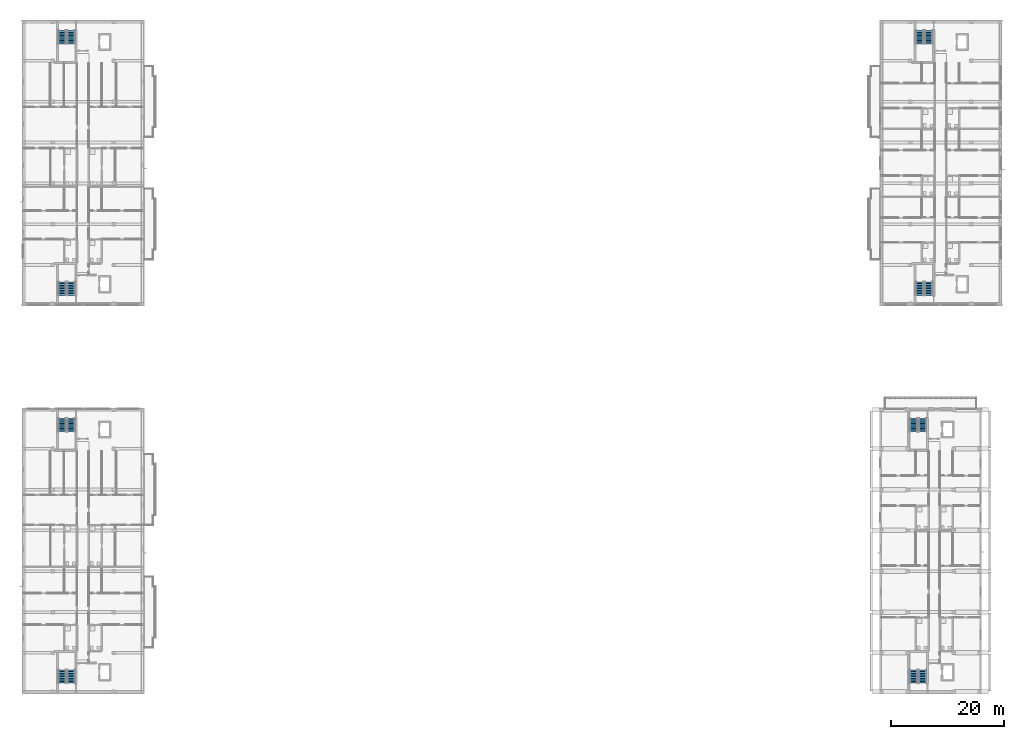
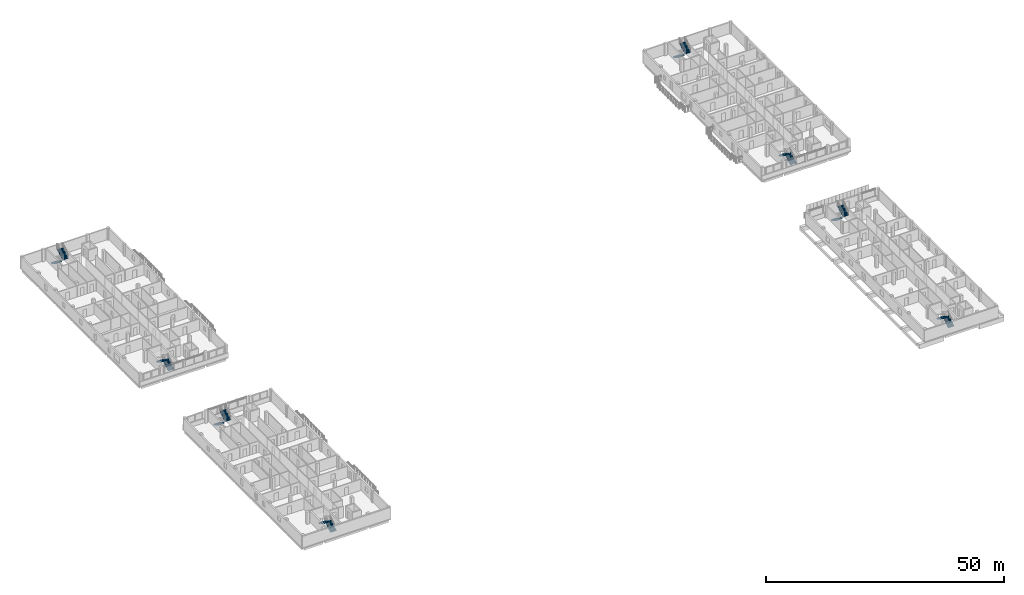
# One storey, part 27 of 41: 16 stair flights, 8 elements without a shape of their own.
"""IFC4 building model written with IfcOpenShell, lengths in metres."""

import ifcopenshell
import ifcopenshell.guid

model = None  # the IFC model being written
_history = None  # IfcOwnerHistory: only IFC2X3 demands one
_inside = {}  # id of a spatial element -> (the spatial element, [elements in it])
_under = {}  # id of a project, library or spatial element -> (it, [spatial elements below it])
_declared = {}  # id of a project -> (the project, [libraries it declares])
_typed = {}  # id of a type object -> (the type object, [elements of that type])
_made_of = {}  # id of a material, layer set ... -> (it, [elements and type objects made of it])


def new_model(schema):
    """Start an empty IFC model of exactly this schema.

    Asked for "IFC4X3", IfcOpenShell would pick the latest addendum, in which some entities
    have other attributes; the version numbers below select the first issue.
    IFC2X3 requires an IfcOwnerHistory on every rooted entity: one is made here for all.
    """
    global model, _history
    if schema == "IFC4X3":
        model = ifcopenshell.file(schema_version=(4, 3, 0, 0))
    else:
        model = ifcopenshell.file(schema=schema)
    _inside.clear()
    _under.clear()
    _declared.clear()
    _typed.clear()
    _made_of.clear()
    _history = None
    if model.schema == "IFC2X3":
        org = make("IfcOrganization", Name="unknown")
        user = make(
            "IfcPersonAndOrganization",
            ThePerson=make("IfcPerson", FamilyName="unknown"),
            TheOrganization=org,
        )
        app = make(
            "IfcApplication",
            ApplicationDeveloper=org,
            Version="unknown",
            ApplicationFullName="unknown",
            ApplicationIdentifier="unknown",
        )
        _history = make(
            "IfcOwnerHistory",
            OwningUser=user,
            OwningApplication=app,
            ChangeAction="ADDED",
            CreationDate=0,
        )
    return model


def make(cls, **values):
    """One entity of the class cls with the attributes given. An attribute that is None is left unset."""
    return model.create_entity(
        cls, **{name: value for name, value in values.items() if value is not None}
    )


def rooted(cls, **values):
    """An entity with a GlobalId (a new one), such as an element, a storey or a relation."""
    return make(cls, GlobalId=ifcopenshell.guid.new(), OwnerHistory=_history, **values)


def si_unit(unit_type, name, prefix=None):
    """IfcSIUnit, for example si_unit("LENGTHUNIT", "METRE", prefix="MILLI")."""
    return make("IfcSIUnit", UnitType=unit_type, Prefix=prefix, Name=name)


def derived_unit(unit_type, elements):
    """IfcDerivedUnit: a product of units, each with its exponent."""
    return make(
        "IfcDerivedUnit",
        Elements=[
            make("IfcDerivedUnitElement", Unit=unit, Exponent=power)
            for unit, power in elements
        ],
        UnitType=unit_type,
    )


def assignment(units):
    """IfcUnitAssignment: the units of a project."""
    return None if units is None else make("IfcUnitAssignment", Units=units)


def point(xyz):
    """IfcCartesianPoint."""
    return None if xyz is None else make("IfcCartesianPoint", Coordinates=xyz)


def direction(xyz):
    """IfcDirection."""
    return None if xyz is None else make("IfcDirection", DirectionRatios=xyz)


def frame(location, z_axis=None, x_axis=None):
    """IfcAxis2Placement3D, a coordinate frame: its origin and axes. An axis left out is left unset."""
    return make(
        "IfcAxis2Placement3D",
        Location=point(location),
        Axis=direction(z_axis),
        RefDirection=direction(x_axis),
    )


def origin():
    """The frame at (0, 0, 0) with its axes left unset."""
    return frame((0.0, 0.0, 0.0))


def place(relative_to, where):
    """IfcLocalPlacement: puts the frame where relative to a parent placement (None: the world)."""
    return make(
        "IfcLocalPlacement", PlacementRelTo=relative_to, RelativePlacement=where
    )


def context(
    kind, dimensions, precision=None, world=None, true_north=None, identifier=None
):
    """IfcGeometricRepresentationContext, for example the 3D "Model" context."""
    return make(
        "IfcGeometricRepresentationContext",
        ContextIdentifier=identifier,
        ContextType=kind,
        CoordinateSpaceDimension=dimensions,
        Precision=precision,
        WorldCoordinateSystem=world,
        TrueNorth=true_north,
    )


def subcontext(parent, identifier, kind, view, scale=None):
    """IfcGeometricRepresentationSubContext, for example "Body" below "Model"."""
    return make(
        "IfcGeometricRepresentationSubContext",
        ContextIdentifier=identifier,
        ContextType=kind,
        ParentContext=parent,
        TargetScale=scale,
        TargetView=view,
    )


def project(units=None, contexts=None):
    """IfcProject with its units and contexts."""
    return rooted(
        "IfcProject",
        Name="project",
        RepresentationContexts=contexts,
        UnitsInContext=assignment(units),
    )


def spatial(cls, under=None, at=None, **own):
    """A site, building, storey or space (cls), placed at a placement, below another one or the project."""
    s = rooted(cls, ObjectPlacement=at, **own)
    if under is not None:
        _under.setdefault(under.id(), (under, []))[1].append(s)
    return s


def polyline(points):
    """IfcPolyline through the points."""
    return make("IfcPolyline", Points=[point(p) for p in points])


def outline(outer, holes=None, kind="AREA"):
    """IfcArbitraryClosedProfileDef: a profile drawn as a closed curve; with holes, ...WithVoids."""
    if holes is None:
        return make("IfcArbitraryClosedProfileDef", ProfileType=kind, OuterCurve=outer)
    return make(
        "IfcArbitraryProfileDefWithVoids",
        ProfileType=kind,
        OuterCurve=outer,
        InnerCurves=holes,
    )


def extrude(swept, where, along, depth):
    """IfcExtrudedAreaSolid: the profile swept, set in the frame where, extruded along a direction by depth."""
    return make(
        "IfcExtrudedAreaSolid",
        SweptArea=swept,
        Position=where,
        ExtrudedDirection=direction(along),
        Depth=depth,
    )


def shape(context_of_items, identifier, shape_type, items):
    """IfcShapeRepresentation: the items that make up one representation, for example the "Body"."""
    return make(
        "IfcShapeRepresentation",
        ContextOfItems=context_of_items,
        RepresentationIdentifier=identifier,
        RepresentationType=shape_type,
        Items=items,
    )


def material(Name=None, Category=None):
    """IfcMaterial."""
    return make("IfcMaterial", Name=Name, Category=Category)


def made_of(thing, what):
    """Note that an element or type object is made of a material, layer set ...; save() writes the relation."""
    if what is not None:
        _made_of.setdefault(what.id(), (what, []))[1].append(thing)
    return thing


def type_object(cls, material=None, **own):
    """A type object (cls), such as IfcWallType, which elements share."""
    return made_of(rooted(cls, **own), material)


def element(
    cls,
    number,
    at=None,
    inside=None,
    cuts=None,
    type_object=None,
    material=None,
    context=None,
    identifier="Body",
    shape_type=None,
    held_by="IfcProductDefinitionShape",
    body=None,
    shapes=None,
    **own,
):
    """One element of the class cls, such as IfcWall. Its Tag is "e" and its number.

    at: its placement. inside: the storey or other place that contains it. cuts: it is an
    opening in that element (IfcRelVoidsElement). A single representation is given by context,
    identifier, shape_type and body (its items); several are given by shapes. held_by: the class
    of the entity that holds the representations. save() writes the other relations.
    """
    e = rooted(cls, Tag="e%d" % number, ObjectPlacement=at, **own)
    if body is not None:
        shapes = [shape(context, identifier, shape_type, body)]
    if shapes is not None:
        e.Representation = make(held_by, Representations=shapes)
    if inside is not None:
        _inside.setdefault(inside.id(), (inside, []))[1].append(e)
    if cuts is not None:
        rooted(
            "IfcRelVoidsElement", RelatingBuildingElement=cuts, RelatedOpeningElement=e
        )
    if type_object is not None:
        _typed.setdefault(type_object.id(), (type_object, []))[1].append(e)
    return made_of(e, material)


def aggregate(whole, parts):
    """IfcRelAggregates: a whole, such as a stair, and the parts it consists of."""
    return rooted("IfcRelAggregates", RelatingObject=whole, RelatedObjects=parts)


def save(model, path):
    """Write the relations noted so far, then the file.

    IfcRelAggregates (storeys below a building ...), IfcRelContainedInSpatialStructure (elements
    in a storey), IfcRelDefinesByType, IfcRelAssociatesMaterial and IfcRelDeclares: one each for
    every whole, place, type object, material and project.
    """
    for whole, parts in _under.values():
        aggregate(whole, parts)
    for where, things in _inside.values():
        rooted(
            "IfcRelContainedInSpatialStructure",
            RelatedElements=things,
            RelatingStructure=where,
        )
    for kind, things in _typed.values():
        rooted("IfcRelDefinesByType", RelatedObjects=things, RelatingType=kind)
    for what, things in _made_of.values():
        rooted("IfcRelAssociatesMaterial", RelatedObjects=things, RelatingMaterial=what)
    for by, libraries in _declared.values():
        rooted("IfcRelDeclares", RelatingContext=by, RelatedDefinitions=libraries)
    model.write(path)


model = new_model("IFC4")

# Units and contexts
model_context = context("Model", 3, precision=1e-05, world=origin(), true_north=direction((0.0, 1.0)))
body_context = subcontext(model_context, "Body", "Model", "MODEL_VIEW")
ifc_project = project(units=[si_unit("LENGTHUNIT", "METRE"), si_unit("AREAUNIT", "SQUARE_METRE"), si_unit("VOLUMEUNIT", "CUBIC_METRE"), si_unit("PLANEANGLEUNIT", "RADIAN"), si_unit("MASSUNIT", "GRAM", prefix="KILO"), derived_unit("THERMALTRANSMITTANCEUNIT", [(si_unit("MASSUNIT", "GRAM", prefix="KILO"), 1), (si_unit("TIMEUNIT", "SECOND"), -3), (si_unit("THERMODYNAMICTEMPERATUREUNIT", "KELVIN"), -1)])], contexts=[model_context])

# Site, building, storey
site_placement = place(None, origin())
site = spatial("IfcSite", under=ifc_project, at=site_placement, CompositionType="ELEMENT")
building_placement = place(site_placement, origin())
building = spatial("IfcBuilding", under=site, at=building_placement, Name="Ochrekiln Boulevard Commons", CompositionType="ELEMENT")
storey_placement = place(building_placement, frame((0.0, 0.0, 21.52490234375)))
storey = spatial("IfcBuildingStorey", under=building, at=storey_placement, Name="L06", CompositionType="ELEMENT", Elevation=21.52490234375)

# Stair, stair flights
ifc_material = material(Name="Concrete C35/45", Category="concrete")
stair_type = type_object("IfcStairType", Name="STR-DL-315", PredefinedType="TWO_STRAIGHT_RUN_STAIR", material=ifc_material)
stair_1_placement = place(storey_placement, origin())
stair_1 = element("IfcStair", 1, at=stair_1_placement, inside=storey, type_object=stair_type, Name="L06 Enclosed Exit Stair ST-A1", PredefinedType="TWO_STRAIGHT_RUN_STAIR")
stair_flight_type = type_object("IfcStairFlightType", Name="SFL-ST-315", PredefinedType="STRAIGHT", material=ifc_material)
stair_flight_1_placement = place(storey_placement, frame((8.699951171875, 70.27001953125, 0.0), z_axis=(0.0, 0.0, 1.0), x_axis=(0.0, 1.0, 0.0)))
stair_flight_1 = element("IfcStairFlight", 2, at=stair_flight_1_placement, type_object=stair_flight_type, Name="ST-A1 flight 1", NumberOfRisers=9, NumberOfTreads=8, PredefinedType="STRAIGHT", RiserHeight=0.175, TreadLength=0.29, context=body_context, shape_type="SweptSolid", body=[
    extrude(outline(polyline([(0.0, 0.0), (0.0, 0.175048828125), (0.2900390625, 0.175048828125), (0.2900390625, 0.35009765625), (0.580078125, 0.35009765625), (0.580078125, 0.52490234375), (0.8701171875, 0.52490234375), (0.8701171875, 0.699951171875), (1.159912109375, 0.699951171875), (1.159912109375, 0.875), (1.449951171875, 0.875), (1.449951171875, 1.050048828125), (1.739990234375, 1.050048828125), (1.739990234375, 1.22509765625), (2.030029296875, 1.22509765625), (2.030029296875, 1.39990234375), (2.320068359375, 1.39990234375), (2.320068359375, 1.574951171875), (2.320068359375, 1.213134765625), (0.3095703125, 0.0), (0.0, 0.0)])), frame((0.0, 0.699951171875, 0.0), z_axis=(0.0, -1.0, 0.0), x_axis=(1.0, 0.0, 0.0)), (0.0, 0.0, 1.0), 1.39990234375),
])
stair_flight_2_placement = place(storey_placement, frame((7.10009765625, 72.590087890625, 1.5751953125), z_axis=(0.0, 0.0, 1.0), x_axis=(0.0, -1.0, 0.0)))
stair_flight_2 = element("IfcStairFlight", 3, at=stair_flight_2_placement, type_object=stair_flight_type, Name="ST-A1 flight 2", NumberOfRisers=9, NumberOfTreads=8, PredefinedType="STRAIGHT", RiserHeight=0.175, TreadLength=0.29, context=body_context, shape_type="SweptSolid", body=[
    extrude(outline(polyline([(0.0, 0.0), (0.0, 0.175048828125), (0.2900390625, 0.175048828125), (0.2900390625, 0.35009765625), (0.580078125, 0.35009765625), (0.580078125, 0.52490234375), (0.8701171875, 0.52490234375), (0.8701171875, 0.699951171875), (1.159912109375, 0.699951171875), (1.159912109375, 0.875), (1.449951171875, 0.875), (1.449951171875, 1.050048828125), (1.739990234375, 1.050048828125), (1.739990234375, 1.22509765625), (2.030029296875, 1.22509765625), (2.030029296875, 1.39990234375), (2.320068359375, 1.39990234375), (2.320068359375, 1.574951171875), (2.320068359375, 1.213134765625), (0.3095703125, 0.0), (0.0, 0.0)])), frame((0.0, 0.699951171875, 0.0), z_axis=(0.0, -1.0, 0.0), x_axis=(1.0, 0.0, 0.0)), (0.0, 0.0, 1.0), 1.39990234375),
])
aggregate(stair_1, [stair_flight_1, stair_flight_2])

stair_2_placement = place(storey_placement, origin())
stair_2 = element("IfcStair", 4, at=stair_2_placement, inside=storey, type_object=stair_type, Name="L06 Enclosed Exit Stair ST-A2", PredefinedType="TWO_STRAIGHT_RUN_STAIR")
stair_flight_3_placement = place(storey_placement, frame((7.10009765625, 116.929931640625, 0.0), z_axis=(0.0, 0.0, 1.0), x_axis=(0.0, -1.0, 0.0)))
stair_flight_3 = element("IfcStairFlight", 5, at=stair_flight_3_placement, type_object=stair_flight_type, Name="ST-A2 flight 1", NumberOfRisers=9, NumberOfTreads=8, PredefinedType="STRAIGHT", RiserHeight=0.175, TreadLength=0.29, context=body_context, shape_type="SweptSolid", body=[
    extrude(outline(polyline([(0.0, 0.0), (0.0, 0.175048828125), (0.2900390625, 0.175048828125), (0.2900390625, 0.35009765625), (0.580078125, 0.35009765625), (0.580078125, 0.52490234375), (0.8701171875, 0.52490234375), (0.8701171875, 0.699951171875), (1.159912109375, 0.699951171875), (1.159912109375, 0.875), (1.449951171875, 0.875), (1.449951171875, 1.050048828125), (1.739990234375, 1.050048828125), (1.739990234375, 1.22509765625), (2.030029296875, 1.22509765625), (2.030029296875, 1.39990234375), (2.320068359375, 1.39990234375), (2.320068359375, 1.574951171875), (2.320068359375, 1.213134765625), (0.3095703125, 0.0), (0.0, 0.0)])), frame((0.0, 0.699951171875, 0.0), z_axis=(0.0, -1.0, 0.0), x_axis=(1.0, 0.0, 0.0)), (0.0, 0.0, 1.0), 1.39990234375),
])
stair_flight_4_placement = place(storey_placement, frame((8.699951171875, 114.610107421875, 1.5751953125), z_axis=(0.0, 0.0, 1.0), x_axis=(0.0, 1.0, 0.0)))
stair_flight_4 = element("IfcStairFlight", 6, at=stair_flight_4_placement, type_object=stair_flight_type, Name="ST-A2 flight 2", NumberOfRisers=9, NumberOfTreads=8, PredefinedType="STRAIGHT", RiserHeight=0.175, TreadLength=0.29, context=body_context, shape_type="SweptSolid", body=[
    extrude(outline(polyline([(0.0, 0.0), (0.0, 0.175048828125), (0.2900390625, 0.175048828125), (0.2900390625, 0.35009765625), (0.580078125, 0.35009765625), (0.580078125, 0.52490234375), (0.8701171875, 0.52490234375), (0.8701171875, 0.699951171875), (1.159912109375, 0.699951171875), (1.159912109375, 0.875), (1.449951171875, 0.875), (1.449951171875, 1.050048828125), (1.739990234375, 1.050048828125), (1.739990234375, 1.22509765625), (2.030029296875, 1.22509765625), (2.030029296875, 1.39990234375), (2.320068359375, 1.39990234375), (2.320068359375, 1.574951171875), (2.320068359375, 1.213134765625), (0.3095703125, 0.0), (0.0, 0.0)])), frame((0.0, 0.699951171875, 0.0), z_axis=(0.0, -1.0, 0.0), x_axis=(1.0, 0.0, 0.0)), (0.0, 0.0, 1.0), 1.39990234375),
])
aggregate(stair_2, [stair_flight_3, stair_flight_4])

stair_3_placement = place(storey_placement, origin())
stair_3 = element("IfcStair", 7, at=stair_3_placement, inside=storey, type_object=stair_type, Name="L06 Enclosed Exit Stair ST-B1", PredefinedType="TWO_STRAIGHT_RUN_STAIR")
stair_flight_5_placement = place(storey_placement, frame((159.89990234375, 70.27001953125, 0.0), z_axis=(0.0, 0.0, 1.0), x_axis=(0.0, 1.0, 0.0)))
stair_flight_5 = element("IfcStairFlight", 8, at=stair_flight_5_placement, type_object=stair_flight_type, Name="ST-B1 flight 1", NumberOfRisers=9, NumberOfTreads=8, PredefinedType="STRAIGHT", RiserHeight=0.175, TreadLength=0.29, context=body_context, shape_type="SweptSolid", body=[
    extrude(outline(polyline([(0.0, 0.0), (0.0, 0.175048828125), (0.2900390625, 0.175048828125), (0.2900390625, 0.35009765625), (0.580078125, 0.35009765625), (0.580078125, 0.52490234375), (0.8701171875, 0.52490234375), (0.8701171875, 0.699951171875), (1.159912109375, 0.699951171875), (1.159912109375, 0.875), (1.449951171875, 0.875), (1.449951171875, 1.050048828125), (1.739990234375, 1.050048828125), (1.739990234375, 1.22509765625), (2.030029296875, 1.22509765625), (2.030029296875, 1.39990234375), (2.320068359375, 1.39990234375), (2.320068359375, 1.574951171875), (2.320068359375, 1.213134765625), (0.3095703125, 0.0), (0.0, 0.0)])), frame((0.0, 0.699951171875, 0.0), z_axis=(0.0, -1.0, 0.0), x_axis=(1.0, 0.0, 0.0)), (0.0, 0.0, 1.0), 1.39990234375),
])
stair_flight_6_placement = place(storey_placement, frame((158.300048828125, 72.590087890625, 1.5751953125), z_axis=(0.0, 0.0, 1.0), x_axis=(0.0, -1.0, 0.0)))
stair_flight_6 = element("IfcStairFlight", 9, at=stair_flight_6_placement, type_object=stair_flight_type, Name="ST-B1 flight 2", NumberOfRisers=9, NumberOfTreads=8, PredefinedType="STRAIGHT", RiserHeight=0.175, TreadLength=0.29, context=body_context, shape_type="SweptSolid", body=[
    extrude(outline(polyline([(0.0, 0.0), (0.0, 0.175048828125), (0.2900390625, 0.175048828125), (0.2900390625, 0.35009765625), (0.580078125, 0.35009765625), (0.580078125, 0.52490234375), (0.8701171875, 0.52490234375), (0.8701171875, 0.699951171875), (1.159912109375, 0.699951171875), (1.159912109375, 0.875), (1.449951171875, 0.875), (1.449951171875, 1.050048828125), (1.739990234375, 1.050048828125), (1.739990234375, 1.22509765625), (2.030029296875, 1.22509765625), (2.030029296875, 1.39990234375), (2.320068359375, 1.39990234375), (2.320068359375, 1.574951171875), (2.320068359375, 1.213134765625), (0.3095703125, 0.0), (0.0, 0.0)])), frame((0.0, 0.699951171875, 0.0), z_axis=(0.0, -1.0, 0.0), x_axis=(1.0, 0.0, 0.0)), (0.0, 0.0, 1.0), 1.39990234375),
])
aggregate(stair_3, [stair_flight_5, stair_flight_6])

stair_4_placement = place(storey_placement, origin())
stair_4 = element("IfcStair", 10, at=stair_4_placement, inside=storey, type_object=stair_type, Name="L06 Enclosed Exit Stair ST-B2", PredefinedType="TWO_STRAIGHT_RUN_STAIR")
stair_flight_7_placement = place(storey_placement, frame((158.300048828125, 116.929931640625, 0.0), z_axis=(0.0, 0.0, 1.0), x_axis=(0.0, -1.0, 0.0)))
stair_flight_7 = element("IfcStairFlight", 11, at=stair_flight_7_placement, type_object=stair_flight_type, Name="ST-B2 flight 1", NumberOfRisers=9, NumberOfTreads=8, PredefinedType="STRAIGHT", RiserHeight=0.175, TreadLength=0.29, context=body_context, shape_type="SweptSolid", body=[
    extrude(outline(polyline([(0.0, 0.0), (0.0, 0.175048828125), (0.2900390625, 0.175048828125), (0.2900390625, 0.35009765625), (0.580078125, 0.35009765625), (0.580078125, 0.52490234375), (0.8701171875, 0.52490234375), (0.8701171875, 0.699951171875), (1.159912109375, 0.699951171875), (1.159912109375, 0.875), (1.449951171875, 0.875), (1.449951171875, 1.050048828125), (1.739990234375, 1.050048828125), (1.739990234375, 1.22509765625), (2.030029296875, 1.22509765625), (2.030029296875, 1.39990234375), (2.320068359375, 1.39990234375), (2.320068359375, 1.574951171875), (2.320068359375, 1.213134765625), (0.3095703125, 0.0), (0.0, 0.0)])), frame((0.0, 0.699951171875, 0.0), z_axis=(0.0, -1.0, 0.0), x_axis=(1.0, 0.0, 0.0)), (0.0, 0.0, 1.0), 1.39990234375),
])
stair_flight_8_placement = place(storey_placement, frame((159.89990234375, 114.610107421875, 1.5751953125), z_axis=(0.0, 0.0, 1.0), x_axis=(0.0, 1.0, 0.0)))
stair_flight_8 = element("IfcStairFlight", 12, at=stair_flight_8_placement, type_object=stair_flight_type, Name="ST-B2 flight 2", NumberOfRisers=9, NumberOfTreads=8, PredefinedType="STRAIGHT", RiserHeight=0.175, TreadLength=0.29, context=body_context, shape_type="SweptSolid", body=[
    extrude(outline(polyline([(0.0, 0.0), (0.0, 0.175048828125), (0.2900390625, 0.175048828125), (0.2900390625, 0.35009765625), (0.580078125, 0.35009765625), (0.580078125, 0.52490234375), (0.8701171875, 0.52490234375), (0.8701171875, 0.699951171875), (1.159912109375, 0.699951171875), (1.159912109375, 0.875), (1.449951171875, 0.875), (1.449951171875, 1.050048828125), (1.739990234375, 1.050048828125), (1.739990234375, 1.22509765625), (2.030029296875, 1.22509765625), (2.030029296875, 1.39990234375), (2.320068359375, 1.39990234375), (2.320068359375, 1.574951171875), (2.320068359375, 1.213134765625), (0.3095703125, 0.0), (0.0, 0.0)])), frame((0.0, 0.699951171875, 0.0), z_axis=(0.0, -1.0, 0.0), x_axis=(1.0, 0.0, 0.0)), (0.0, 0.0, 1.0), 1.39990234375),
])
aggregate(stair_4, [stair_flight_7, stair_flight_8])

stair_5_placement = place(storey_placement, origin())
stair_5 = element("IfcStair", 13, at=stair_5_placement, inside=storey, type_object=stair_type, Name="L06 Enclosed Exit Stair ST-C1", PredefinedType="TWO_STRAIGHT_RUN_STAIR")
stair_flight_9_placement = place(storey_placement, frame((158.800048828125, 1.8701171875, 0.0), z_axis=(0.0, 0.0, 1.0), x_axis=(0.0, 1.0, 0.0)))
stair_flight_9 = element("IfcStairFlight", 14, at=stair_flight_9_placement, type_object=stair_flight_type, Name="ST-C1 flight 1", NumberOfRisers=9, NumberOfTreads=8, PredefinedType="STRAIGHT", RiserHeight=0.175, TreadLength=0.29, context=body_context, shape_type="SweptSolid", body=[
    extrude(outline(polyline([(0.0, 0.0), (0.0, 0.175048828125), (0.2900390625, 0.175048828125), (0.2900390625, 0.35009765625), (0.580078125, 0.35009765625), (0.580078125, 0.52490234375), (0.8701171875, 0.52490234375), (0.8701171875, 0.699951171875), (1.159912109375, 0.699951171875), (1.159912109375, 0.875), (1.449951171875, 0.875), (1.449951171875, 1.050048828125), (1.739990234375, 1.050048828125), (1.739990234375, 1.22509765625), (2.030029296875, 1.22509765625), (2.030029296875, 1.39990234375), (2.320068359375, 1.39990234375), (2.320068359375, 1.574951171875), (2.320068359375, 1.213134765625), (0.3095703125, 0.0), (0.0, 0.0)])), frame((0.0, 0.699951171875, 0.0), z_axis=(0.0, -1.0, 0.0), x_axis=(1.0, 0.0, 0.0)), (0.0, 0.0, 1.0), 1.39990234375),
])
stair_flight_10_placement = place(storey_placement, frame((157.199951171875, 4.18994140625, 1.5751953125), z_axis=(0.0, 0.0, 1.0), x_axis=(0.0, -1.0, 0.0)))
stair_flight_10 = element("IfcStairFlight", 15, at=stair_flight_10_placement, type_object=stair_flight_type, Name="ST-C1 flight 2", NumberOfRisers=9, NumberOfTreads=8, PredefinedType="STRAIGHT", RiserHeight=0.175, TreadLength=0.29, context=body_context, shape_type="SweptSolid", body=[
    extrude(outline(polyline([(0.0, 0.0), (0.0, 0.175048828125), (0.2900390625, 0.175048828125), (0.2900390625, 0.35009765625), (0.580078125, 0.35009765625), (0.580078125, 0.52490234375), (0.8701171875, 0.52490234375), (0.8701171875, 0.699951171875), (1.159912109375, 0.699951171875), (1.159912109375, 0.875), (1.449951171875, 0.875), (1.449951171875, 1.050048828125), (1.739990234375, 1.050048828125), (1.739990234375, 1.22509765625), (2.030029296875, 1.22509765625), (2.030029296875, 1.39990234375), (2.320068359375, 1.39990234375), (2.320068359375, 1.574951171875), (2.320068359375, 1.213134765625), (0.3095703125, 0.0), (0.0, 0.0)])), frame((0.0, 0.699951171875, 0.0), z_axis=(0.0, -1.0, 0.0), x_axis=(1.0, 0.0, 0.0)), (0.0, 0.0, 1.0), 1.39990234375),
])
aggregate(stair_5, [stair_flight_9, stair_flight_10])

stair_6_placement = place(storey_placement, origin())
stair_6 = element("IfcStair", 16, at=stair_6_placement, inside=storey, type_object=stair_type, Name="L06 Enclosed Exit Stair ST-C2", PredefinedType="TWO_STRAIGHT_RUN_STAIR")
stair_flight_11_placement = place(storey_placement, frame((157.199951171875, 48.530029296875, 0.0), z_axis=(0.0, 0.0, 1.0), x_axis=(0.0, -1.0, 0.0)))
stair_flight_11 = element("IfcStairFlight", 17, at=stair_flight_11_placement, type_object=stair_flight_type, Name="ST-C2 flight 1", NumberOfRisers=9, NumberOfTreads=8, PredefinedType="STRAIGHT", RiserHeight=0.175, TreadLength=0.29, context=body_context, shape_type="SweptSolid", body=[
    extrude(outline(polyline([(0.0, 0.0), (0.0, 0.175048828125), (0.2900390625, 0.175048828125), (0.2900390625, 0.35009765625), (0.580078125, 0.35009765625), (0.580078125, 0.52490234375), (0.8701171875, 0.52490234375), (0.8701171875, 0.699951171875), (1.159912109375, 0.699951171875), (1.159912109375, 0.875), (1.449951171875, 0.875), (1.449951171875, 1.050048828125), (1.739990234375, 1.050048828125), (1.739990234375, 1.22509765625), (2.030029296875, 1.22509765625), (2.030029296875, 1.39990234375), (2.320068359375, 1.39990234375), (2.320068359375, 1.574951171875), (2.320068359375, 1.213134765625), (0.3095703125, 0.0), (0.0, 0.0)])), frame((0.0, 0.699951171875, 0.0), z_axis=(0.0, -1.0, 0.0), x_axis=(1.0, 0.0, 0.0)), (0.0, 0.0, 1.0), 1.39990234375),
])
stair_flight_12_placement = place(storey_placement, frame((158.800048828125, 46.2099609375, 1.5751953125), z_axis=(0.0, 0.0, 1.0), x_axis=(0.0, 1.0, 0.0)))
stair_flight_12 = element("IfcStairFlight", 18, at=stair_flight_12_placement, type_object=stair_flight_type, Name="ST-C2 flight 2", NumberOfRisers=9, NumberOfTreads=8, PredefinedType="STRAIGHT", RiserHeight=0.175, TreadLength=0.29, context=body_context, shape_type="SweptSolid", body=[
    extrude(outline(polyline([(0.0, 0.0), (0.0, 0.175048828125), (0.2900390625, 0.175048828125), (0.2900390625, 0.35009765625), (0.580078125, 0.35009765625), (0.580078125, 0.52490234375), (0.8701171875, 0.52490234375), (0.8701171875, 0.699951171875), (1.159912109375, 0.699951171875), (1.159912109375, 0.875), (1.449951171875, 0.875), (1.449951171875, 1.050048828125), (1.739990234375, 1.050048828125), (1.739990234375, 1.22509765625), (2.030029296875, 1.22509765625), (2.030029296875, 1.39990234375), (2.320068359375, 1.39990234375), (2.320068359375, 1.574951171875), (2.320068359375, 1.213134765625), (0.3095703125, 0.0), (0.0, 0.0)])), frame((0.0, 0.699951171875, 0.0), z_axis=(0.0, -1.0, 0.0), x_axis=(1.0, 0.0, 0.0)), (0.0, 0.0, 1.0), 1.39990234375),
])
aggregate(stair_6, [stair_flight_11, stair_flight_12])

stair_7_placement = place(storey_placement, origin())
stair_7 = element("IfcStair", 19, at=stair_7_placement, inside=storey, type_object=stair_type, Name="L06 Enclosed Exit Stair ST-D1", PredefinedType="TWO_STRAIGHT_RUN_STAIR")
stair_flight_13_placement = place(storey_placement, frame((8.699951171875, 1.8701171875, 0.0), z_axis=(0.0, 0.0, 1.0), x_axis=(0.0, 1.0, 0.0)))
stair_flight_13 = element("IfcStairFlight", 20, at=stair_flight_13_placement, type_object=stair_flight_type, Name="ST-D1 flight 1", NumberOfRisers=9, NumberOfTreads=8, PredefinedType="STRAIGHT", RiserHeight=0.175, TreadLength=0.29, context=body_context, shape_type="SweptSolid", body=[
    extrude(outline(polyline([(0.0, 0.0), (0.0, 0.175048828125), (0.2900390625, 0.175048828125), (0.2900390625, 0.35009765625), (0.580078125, 0.35009765625), (0.580078125, 0.52490234375), (0.8701171875, 0.52490234375), (0.8701171875, 0.699951171875), (1.159912109375, 0.699951171875), (1.159912109375, 0.875), (1.449951171875, 0.875), (1.449951171875, 1.050048828125), (1.739990234375, 1.050048828125), (1.739990234375, 1.22509765625), (2.030029296875, 1.22509765625), (2.030029296875, 1.39990234375), (2.320068359375, 1.39990234375), (2.320068359375, 1.574951171875), (2.320068359375, 1.213134765625), (0.3095703125, 0.0), (0.0, 0.0)])), frame((0.0, 0.699951171875, 0.0), z_axis=(0.0, -1.0, 0.0), x_axis=(1.0, 0.0, 0.0)), (0.0, 0.0, 1.0), 1.39990234375),
])
stair_flight_14_placement = place(storey_placement, frame((7.10009765625, 4.18994140625, 1.5751953125), z_axis=(0.0, 0.0, 1.0), x_axis=(0.0, -1.0, 0.0)))
stair_flight_14 = element("IfcStairFlight", 21, at=stair_flight_14_placement, type_object=stair_flight_type, Name="ST-D1 flight 2", NumberOfRisers=9, NumberOfTreads=8, PredefinedType="STRAIGHT", RiserHeight=0.175, TreadLength=0.29, context=body_context, shape_type="SweptSolid", body=[
    extrude(outline(polyline([(0.0, 0.0), (0.0, 0.175048828125), (0.2900390625, 0.175048828125), (0.2900390625, 0.35009765625), (0.580078125, 0.35009765625), (0.580078125, 0.52490234375), (0.8701171875, 0.52490234375), (0.8701171875, 0.699951171875), (1.159912109375, 0.699951171875), (1.159912109375, 0.875), (1.449951171875, 0.875), (1.449951171875, 1.050048828125), (1.739990234375, 1.050048828125), (1.739990234375, 1.22509765625), (2.030029296875, 1.22509765625), (2.030029296875, 1.39990234375), (2.320068359375, 1.39990234375), (2.320068359375, 1.574951171875), (2.320068359375, 1.213134765625), (0.3095703125, 0.0), (0.0, 0.0)])), frame((0.0, 0.699951171875, 0.0), z_axis=(0.0, -1.0, 0.0), x_axis=(1.0, 0.0, 0.0)), (0.0, 0.0, 1.0), 1.39990234375),
])
aggregate(stair_7, [stair_flight_13, stair_flight_14])

stair_8_placement = place(storey_placement, origin())
stair_8 = element("IfcStair", 22, at=stair_8_placement, inside=storey, type_object=stair_type, Name="L06 Enclosed Exit Stair ST-D2", PredefinedType="TWO_STRAIGHT_RUN_STAIR")
stair_flight_15_placement = place(storey_placement, frame((7.10009765625, 48.530029296875, 0.0), z_axis=(0.0, 0.0, 1.0), x_axis=(0.0, -1.0, 0.0)))
stair_flight_15 = element("IfcStairFlight", 23, at=stair_flight_15_placement, type_object=stair_flight_type, Name="ST-D2 flight 1", NumberOfRisers=9, NumberOfTreads=8, PredefinedType="STRAIGHT", RiserHeight=0.175, TreadLength=0.29, context=body_context, shape_type="SweptSolid", body=[
    extrude(outline(polyline([(0.0, 0.0), (0.0, 0.175048828125), (0.2900390625, 0.175048828125), (0.2900390625, 0.35009765625), (0.580078125, 0.35009765625), (0.580078125, 0.52490234375), (0.8701171875, 0.52490234375), (0.8701171875, 0.699951171875), (1.159912109375, 0.699951171875), (1.159912109375, 0.875), (1.449951171875, 0.875), (1.449951171875, 1.050048828125), (1.739990234375, 1.050048828125), (1.739990234375, 1.22509765625), (2.030029296875, 1.22509765625), (2.030029296875, 1.39990234375), (2.320068359375, 1.39990234375), (2.320068359375, 1.574951171875), (2.320068359375, 1.213134765625), (0.3095703125, 0.0), (0.0, 0.0)])), frame((0.0, 0.699951171875, 0.0), z_axis=(0.0, -1.0, 0.0), x_axis=(1.0, 0.0, 0.0)), (0.0, 0.0, 1.0), 1.39990234375),
])
stair_flight_16_placement = place(storey_placement, frame((8.699951171875, 46.2099609375, 1.5751953125), z_axis=(0.0, 0.0, 1.0), x_axis=(0.0, 1.0, 0.0)))
stair_flight_16 = element("IfcStairFlight", 24, at=stair_flight_16_placement, type_object=stair_flight_type, Name="ST-D2 flight 2", NumberOfRisers=9, NumberOfTreads=8, PredefinedType="STRAIGHT", RiserHeight=0.175, TreadLength=0.29, context=body_context, shape_type="SweptSolid", body=[
    extrude(outline(polyline([(0.0, 0.0), (0.0, 0.175048828125), (0.2900390625, 0.175048828125), (0.2900390625, 0.35009765625), (0.580078125, 0.35009765625), (0.580078125, 0.52490234375), (0.8701171875, 0.52490234375), (0.8701171875, 0.699951171875), (1.159912109375, 0.699951171875), (1.159912109375, 0.875), (1.449951171875, 0.875), (1.449951171875, 1.050048828125), (1.739990234375, 1.050048828125), (1.739990234375, 1.22509765625), (2.030029296875, 1.22509765625), (2.030029296875, 1.39990234375), (2.320068359375, 1.39990234375), (2.320068359375, 1.574951171875), (2.320068359375, 1.213134765625), (0.3095703125, 0.0), (0.0, 0.0)])), frame((0.0, 0.699951171875, 0.0), z_axis=(0.0, -1.0, 0.0), x_axis=(1.0, 0.0, 0.0)), (0.0, 0.0, 1.0), 1.39990234375),
])
aggregate(stair_8, [stair_flight_15, stair_flight_16])

save(model, "model.ifc")
